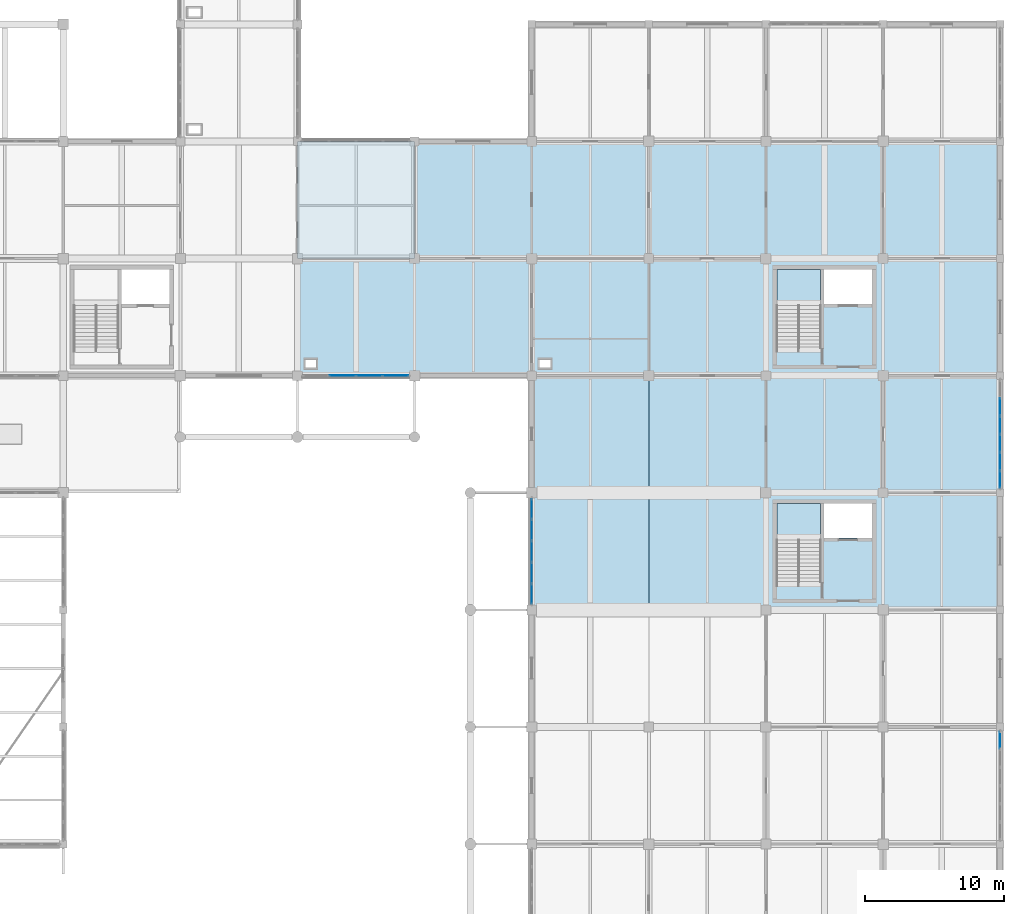
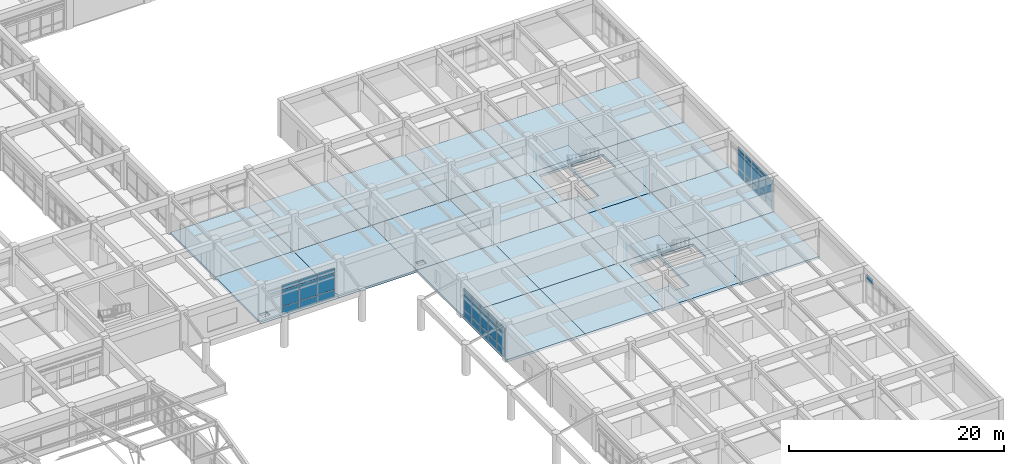
# One storey, part 74 of 99: 40 plates, 22 slabs, 6 elements without a shape of their own.
"""IFC4 building model written with IfcOpenShell, lengths in metres."""

from ifc_helpers import new_model, si_unit, direction, frame, origin, origin_2d, place, context, subcontext, project, spatial, polyline, rectangle, outline, extrude, material, layer, layer_set, type_object, element, aggregate, save


model = new_model("IFC4")

# Units and contexts
model_context = context("Model", 3, precision=1e-05, world=origin(), true_north=direction((0.0, 1.0)))
body_context = subcontext(model_context, "Body", "Model", "MODEL_VIEW")
ifc_project = project(units=[si_unit("LENGTHUNIT", "METRE"), si_unit("AREAUNIT", "SQUARE_METRE"), si_unit("VOLUMEUNIT", "CUBIC_METRE"), si_unit("PLANEANGLEUNIT", "RADIAN"), si_unit("MASSUNIT", "GRAM", prefix="KILO")], contexts=[model_context])

# Site, building, storey
site_placement = place(None, origin())
site = spatial("IfcSite", under=ifc_project, at=site_placement, CompositionType="ELEMENT")
building_placement = place(site_placement, origin())
building = spatial("IfcBuilding", under=site, at=building_placement, Name="Porcellanite Civic Hall", CompositionType="ELEMENT")
storey_placement = place(building_placement, frame((0.0, 0.0, 5.760009765625)))
storey = spatial("IfcBuildingStorey", under=building, at=storey_placement, Name="L01", CompositionType="ELEMENT", Elevation=5.760009765625)

# Curtain wall, plates
ifc_material_1 = material(Name="Anodised aluminium and solar laminated glass", Category="aluminium")
ifc_layer_1 = layer(ifc_material_1, 0.179931640625)
ifc_layer_set_1 = layer_set([ifc_layer_1], Name="Anodised aluminium and solar laminated glass")
curtain_wall_type_1 = type_object("IfcCurtainWallType", Name="CW-SYS02", PredefinedType="NOTDEFINED", material=ifc_layer_set_1)
curtain_wall_1_placement = place(storey_placement, origin())
curtain_wall_1 = element("IfcCurtainWall", 1, at=curtain_wall_1_placement, inside=storey, type_object=curtain_wall_type_1, Name="Curtain wall CW-120", PredefinedType="NOTDEFINED")
ifc_material_2 = material(Name="Cyclone laminated solar-control low-E glass", Category="glass")
ifc_layer_2 = layer(ifc_material_2, 0.02587890625)
ifc_layer_set_2 = layer_set([ifc_layer_2], Name="Cyclone laminated solar-control low-E glass")
plate_type_1 = type_object("IfcPlateType", Name="CWP-02", PredefinedType="CURTAIN_PANEL", material=ifc_layer_set_2)
plate_1_placement = place(storey_placement, frame((142.800048828125, 34.737060546875, 0.06494140625), z_axis=(0.0, 0.0, 1.0), x_axis=(0.0, 1.0, 0.0)))
plate_1 = element("IfcPlate", 2, at=plate_1_placement, type_object=plate_type_1, Name="CW-120 panel 1.1", PredefinedType="CURTAIN_PANEL", context=body_context, shape_type="SweptSolid", body=[
    extrude(rectangle(XDim=1.422119140625, YDim=0.02587890625, at=origin_2d()), origin(), (0.0, 0.0, 1.0), 0.802490234375),
])
plate_2_placement = place(storey_placement, frame((142.800048828125, 34.737060546875, 0.9326171875), z_axis=(0.0, 0.0, 1.0), x_axis=(0.0, 1.0, 0.0)))
plate_2 = element("IfcPlate", 3, at=plate_2_placement, type_object=plate_type_1, Name="CW-120 panel 1.2", PredefinedType="CURTAIN_PANEL", context=body_context, shape_type="SweptSolid", body=[
    extrude(rectangle(XDim=1.422119140625, YDim=0.02587890625, at=origin_2d()), origin(), (0.0, 0.0, 1.0), 1.784912109375),
])
plate_3_placement = place(storey_placement, frame((142.800048828125, 34.737060546875, 2.78271484375), z_axis=(0.0, 0.0, 1.0), x_axis=(0.0, 1.0, 0.0)))
plate_3 = element("IfcPlate", 4, at=plate_3_placement, type_object=plate_type_1, Name="CW-120 panel 1.3", PredefinedType="CURTAIN_PANEL", context=body_context, shape_type="SweptSolid", body=[
    extrude(rectangle(XDim=1.422119140625, YDim=0.02587890625, at=origin_2d()), origin(), (0.0, 0.0, 1.0), 0.552490234375),
])
plate_4_placement = place(storey_placement, frame((142.800048828125, 36.2529296875, 0.06494140625), z_axis=(0.0, 0.0, 1.0), x_axis=(0.0, 1.0, 0.0)))
plate_4 = element("IfcPlate", 5, at=plate_4_placement, type_object=plate_type_1, Name="CW-120 panel 2.1", PredefinedType="CURTAIN_PANEL", context=body_context, shape_type="SweptSolid", body=[
    extrude(rectangle(XDim=1.459716796875, YDim=0.02587890625, at=origin_2d()), origin(), (0.0, 0.0, 1.0), 0.802490234375),
])
plate_5_placement = place(storey_placement, frame((142.800048828125, 36.2529296875, 0.9326171875), z_axis=(0.0, 0.0, 1.0), x_axis=(0.0, 1.0, 0.0)))
plate_5 = element("IfcPlate", 6, at=plate_5_placement, type_object=plate_type_1, Name="CW-120 panel 2.2", PredefinedType="CURTAIN_PANEL", context=body_context, shape_type="SweptSolid", body=[
    extrude(rectangle(XDim=1.459716796875, YDim=0.02587890625, at=origin_2d()), origin(), (0.0, 0.0, 1.0), 1.784912109375),
])
plate_6_placement = place(storey_placement, frame((142.800048828125, 36.2529296875, 2.78271484375), z_axis=(0.0, 0.0, 1.0), x_axis=(0.0, 1.0, 0.0)))
plate_6 = element("IfcPlate", 7, at=plate_6_placement, type_object=plate_type_1, Name="CW-120 panel 2.3", PredefinedType="CURTAIN_PANEL", context=body_context, shape_type="SweptSolid", body=[
    extrude(rectangle(XDim=1.459716796875, YDim=0.02587890625, at=origin_2d()), origin(), (0.0, 0.0, 1.0), 0.552490234375),
])
plate_7_placement = place(storey_placement, frame((142.800048828125, 37.78759765625, 0.06494140625), z_axis=(0.0, 0.0, 1.0), x_axis=(0.0, 1.0, 0.0)))
plate_7 = element("IfcPlate", 8, at=plate_7_placement, type_object=plate_type_1, Name="CW-120 panel 3.1", PredefinedType="CURTAIN_PANEL", context=body_context, shape_type="SweptSolid", body=[
    extrude(rectangle(XDim=1.459716796875, YDim=0.02587890625, at=origin_2d()), origin(), (0.0, 0.0, 1.0), 0.802490234375),
])
plate_8_placement = place(storey_placement, frame((142.800048828125, 37.78759765625, 0.9326171875), z_axis=(0.0, 0.0, 1.0), x_axis=(0.0, 1.0, 0.0)))
plate_8 = element("IfcPlate", 9, at=plate_8_placement, type_object=plate_type_1, Name="CW-120 panel 3.2", PredefinedType="CURTAIN_PANEL", context=body_context, shape_type="SweptSolid", body=[
    extrude(rectangle(XDim=1.459716796875, YDim=0.02587890625, at=origin_2d()), origin(), (0.0, 0.0, 1.0), 1.784912109375),
])
plate_9_placement = place(storey_placement, frame((142.800048828125, 37.78759765625, 2.78271484375), z_axis=(0.0, 0.0, 1.0), x_axis=(0.0, 1.0, 0.0)))
plate_9 = element("IfcPlate", 10, at=plate_9_placement, type_object=plate_type_1, Name="CW-120 panel 3.3", PredefinedType="CURTAIN_PANEL", context=body_context, shape_type="SweptSolid", body=[
    extrude(rectangle(XDim=1.459716796875, YDim=0.02587890625, at=origin_2d()), origin(), (0.0, 0.0, 1.0), 0.552490234375),
])
plate_10_placement = place(storey_placement, frame((142.800048828125, 39.322021484375, 0.06494140625), z_axis=(0.0, 0.0, 1.0), x_axis=(0.0, 1.0, 0.0)))
plate_10 = element("IfcPlate", 11, at=plate_10_placement, type_object=plate_type_1, Name="CW-120 panel 4.1", PredefinedType="CURTAIN_PANEL", context=body_context, shape_type="SweptSolid", body=[
    extrude(rectangle(XDim=1.459716796875, YDim=0.02587890625, at=origin_2d()), origin(), (0.0, 0.0, 1.0), 0.802490234375),
])
plate_11_placement = place(storey_placement, frame((142.800048828125, 39.322021484375, 0.9326171875), z_axis=(0.0, 0.0, 1.0), x_axis=(0.0, 1.0, 0.0)))
plate_11 = element("IfcPlate", 12, at=plate_11_placement, type_object=plate_type_1, Name="CW-120 panel 4.2", PredefinedType="CURTAIN_PANEL", context=body_context, shape_type="SweptSolid", body=[
    extrude(rectangle(XDim=1.459716796875, YDim=0.02587890625, at=origin_2d()), origin(), (0.0, 0.0, 1.0), 1.784912109375),
])
plate_12_placement = place(storey_placement, frame((142.800048828125, 39.322021484375, 2.78271484375), z_axis=(0.0, 0.0, 1.0), x_axis=(0.0, 1.0, 0.0)))
plate_12 = element("IfcPlate", 13, at=plate_12_placement, type_object=plate_type_1, Name="CW-120 panel 4.3", PredefinedType="CURTAIN_PANEL", context=body_context, shape_type="SweptSolid", body=[
    extrude(rectangle(XDim=1.459716796875, YDim=0.02587890625, at=origin_2d()), origin(), (0.0, 0.0, 1.0), 0.552490234375),
])
plate_13_placement = place(storey_placement, frame((142.800048828125, 40.837890625, 0.06494140625), z_axis=(0.0, 0.0, 1.0), x_axis=(0.0, 1.0, 0.0)))
plate_13 = element("IfcPlate", 14, at=plate_13_placement, type_object=plate_type_1, Name="CW-120 panel 5.1", PredefinedType="CURTAIN_PANEL", context=body_context, shape_type="SweptSolid", body=[
    extrude(rectangle(XDim=1.422119140625, YDim=0.02587890625, at=origin_2d()), origin(), (0.0, 0.0, 1.0), 0.802490234375),
])
plate_14_placement = place(storey_placement, frame((142.800048828125, 40.837890625, 0.9326171875), z_axis=(0.0, 0.0, 1.0), x_axis=(0.0, 1.0, 0.0)))
plate_14 = element("IfcPlate", 15, at=plate_14_placement, type_object=plate_type_1, Name="CW-120 panel 5.2", PredefinedType="CURTAIN_PANEL", context=body_context, shape_type="SweptSolid", body=[
    extrude(rectangle(XDim=1.422119140625, YDim=0.02587890625, at=origin_2d()), origin(), (0.0, 0.0, 1.0), 1.784912109375),
])
plate_15_placement = place(storey_placement, frame((142.800048828125, 40.837890625, 2.78271484375), z_axis=(0.0, 0.0, 1.0), x_axis=(0.0, 1.0, 0.0)))
plate_15 = element("IfcPlate", 16, at=plate_15_placement, type_object=plate_type_1, Name="CW-120 panel 5.3", PredefinedType="CURTAIN_PANEL", context=body_context, shape_type="SweptSolid", body=[
    extrude(rectangle(XDim=1.422119140625, YDim=0.02587890625, at=origin_2d()), origin(), (0.0, 0.0, 1.0), 0.552490234375),
])
aggregate(curtain_wall_1, [plate_1, plate_2, plate_3, plate_4, plate_5, plate_6, plate_7, plate_8, plate_9, plate_10, plate_11, plate_12, plate_13, plate_14, plate_15])

# Curtain wall, plate
curtain_wall_2_placement = place(storey_placement, origin())
curtain_wall_2 = element("IfcCurtainWall", 17, at=curtain_wall_2_placement, inside=storey, type_object=curtain_wall_type_1, Name="Curtain wall CW-129", PredefinedType="NOTDEFINED")
plate_16_placement = place(storey_placement, frame((176.39990234375, 24.251220703125, 2.78271484375), z_axis=(0.0, 0.0, 1.0), x_axis=(0.0, -1.0, 0.0)))
plate_16 = element("IfcPlate", 18, at=plate_16_placement, type_object=plate_type_1, Name="CW-129 panel 1.3", PredefinedType="CURTAIN_PANEL", context=body_context, shape_type="SweptSolid", body=[
    extrude(rectangle(XDim=1.195556640625, YDim=0.02587890625, at=origin_2d()), origin(), (0.0, 0.0, 1.0), 0.552490234375),
])
aggregate(curtain_wall_2, [plate_16])

# Curtain wall, plates
curtain_wall_3_placement = place(storey_placement, origin())
curtain_wall_3 = element("IfcCurtainWall", 19, at=curtain_wall_3_placement, inside=storey, type_object=curtain_wall_type_1, Name="Curtain wall CW-130", PredefinedType="NOTDEFINED")
plate_17_placement = place(storey_placement, frame((176.39990234375, 48.162109375, 0.06494140625), z_axis=(0.0, 0.0, 1.0), x_axis=(0.0, -1.0, 0.0)))
plate_17 = element("IfcPlate", 20, at=plate_17_placement, type_object=plate_type_1, Name="CW-130 panel 2.1", PredefinedType="CURTAIN_PANEL", context=body_context, shape_type="SweptSolid", body=[
    extrude(rectangle(XDim=1.23291015625, YDim=0.02587890625, at=origin_2d()), origin(), (0.0, 0.0, 1.0), 0.802490234375),
])
plate_18_placement = place(storey_placement, frame((176.39990234375, 48.162109375, 0.9326171875), z_axis=(0.0, 0.0, 1.0), x_axis=(0.0, -1.0, 0.0)))
plate_18 = element("IfcPlate", 21, at=plate_18_placement, type_object=plate_type_1, Name="CW-130 panel 2.2", PredefinedType="CURTAIN_PANEL", context=body_context, shape_type="SweptSolid", body=[
    extrude(rectangle(XDim=1.23291015625, YDim=0.02587890625, at=origin_2d()), origin(), (0.0, 0.0, 1.0), 1.784912109375),
])
plate_19_placement = place(storey_placement, frame((176.39990234375, 48.162109375, 2.78271484375), z_axis=(0.0, 0.0, 1.0), x_axis=(0.0, -1.0, 0.0)))
plate_19 = element("IfcPlate", 22, at=plate_19_placement, type_object=plate_type_1, Name="CW-130 panel 2.3", PredefinedType="CURTAIN_PANEL", context=body_context, shape_type="SweptSolid", body=[
    extrude(rectangle(XDim=1.23291015625, YDim=0.02587890625, at=origin_2d()), origin(), (0.0, 0.0, 1.0), 0.552490234375),
])
plate_20_placement = place(storey_placement, frame((176.39990234375, 46.85400390625, 0.06494140625), z_axis=(0.0, 0.0, 1.0), x_axis=(0.0, -1.0, 0.0)))
plate_20 = element("IfcPlate", 23, at=plate_20_placement, type_object=plate_type_1, Name="CW-130 panel 3.1", PredefinedType="CURTAIN_PANEL", context=body_context, shape_type="SweptSolid", body=[
    extrude(rectangle(XDim=1.23291015625, YDim=0.02587890625, at=origin_2d()), origin(), (0.0, 0.0, 1.0), 0.802490234375),
])
plate_21_placement = place(storey_placement, frame((176.39990234375, 46.85400390625, 0.9326171875), z_axis=(0.0, 0.0, 1.0), x_axis=(0.0, -1.0, 0.0)))
plate_21 = element("IfcPlate", 24, at=plate_21_placement, type_object=plate_type_1, Name="CW-130 panel 3.2", PredefinedType="CURTAIN_PANEL", context=body_context, shape_type="SweptSolid", body=[
    extrude(rectangle(XDim=1.23291015625, YDim=0.02587890625, at=origin_2d()), origin(), (0.0, 0.0, 1.0), 1.784912109375),
])
plate_22_placement = place(storey_placement, frame((176.39990234375, 46.85400390625, 2.78271484375), z_axis=(0.0, 0.0, 1.0), x_axis=(0.0, -1.0, 0.0)))
plate_22 = element("IfcPlate", 25, at=plate_22_placement, type_object=plate_type_1, Name="CW-130 panel 3.3", PredefinedType="CURTAIN_PANEL", context=body_context, shape_type="SweptSolid", body=[
    extrude(rectangle(XDim=1.23291015625, YDim=0.02587890625, at=origin_2d()), origin(), (0.0, 0.0, 1.0), 0.552490234375),
])
plate_23_placement = place(storey_placement, frame((176.39990234375, 45.5458984375, 0.06494140625), z_axis=(0.0, 0.0, 1.0), x_axis=(0.0, -1.0, 0.0)))
plate_23 = element("IfcPlate", 26, at=plate_23_placement, type_object=plate_type_1, Name="CW-130 panel 4.1", PredefinedType="CURTAIN_PANEL", context=body_context, shape_type="SweptSolid", body=[
    extrude(rectangle(XDim=1.23291015625, YDim=0.02587890625, at=origin_2d()), origin(), (0.0, 0.0, 1.0), 0.802490234375),
])
plate_24_placement = place(storey_placement, frame((176.39990234375, 45.5458984375, 0.9326171875), z_axis=(0.0, 0.0, 1.0), x_axis=(0.0, -1.0, 0.0)))
plate_24 = element("IfcPlate", 27, at=plate_24_placement, type_object=plate_type_1, Name="CW-130 panel 4.2", PredefinedType="CURTAIN_PANEL", context=body_context, shape_type="SweptSolid", body=[
    extrude(rectangle(XDim=1.23291015625, YDim=0.02587890625, at=origin_2d()), origin(), (0.0, 0.0, 1.0), 1.784912109375),
])
plate_25_placement = place(storey_placement, frame((176.39990234375, 45.5458984375, 2.78271484375), z_axis=(0.0, 0.0, 1.0), x_axis=(0.0, -1.0, 0.0)))
plate_25 = element("IfcPlate", 28, at=plate_25_placement, type_object=plate_type_1, Name="CW-130 panel 4.3", PredefinedType="CURTAIN_PANEL", context=body_context, shape_type="SweptSolid", body=[
    extrude(rectangle(XDim=1.23291015625, YDim=0.02587890625, at=origin_2d()), origin(), (0.0, 0.0, 1.0), 0.552490234375),
])
plate_26_placement = place(storey_placement, frame((176.39990234375, 44.238037109375, 0.06494140625), z_axis=(0.0, 0.0, 1.0), x_axis=(0.0, -1.0, 0.0)))
plate_26 = element("IfcPlate", 29, at=plate_26_placement, type_object=plate_type_1, Name="CW-130 panel 5.1", PredefinedType="CURTAIN_PANEL", context=body_context, shape_type="SweptSolid", body=[
    extrude(rectangle(XDim=1.23291015625, YDim=0.02587890625, at=origin_2d()), origin(), (0.0, 0.0, 1.0), 0.802490234375),
])
plate_27_placement = place(storey_placement, frame((176.39990234375, 44.238037109375, 0.9326171875), z_axis=(0.0, 0.0, 1.0), x_axis=(0.0, -1.0, 0.0)))
plate_27 = element("IfcPlate", 30, at=plate_27_placement, type_object=plate_type_1, Name="CW-130 panel 5.2", PredefinedType="CURTAIN_PANEL", context=body_context, shape_type="SweptSolid", body=[
    extrude(rectangle(XDim=1.23291015625, YDim=0.02587890625, at=origin_2d()), origin(), (0.0, 0.0, 1.0), 1.784912109375),
])
plate_28_placement = place(storey_placement, frame((176.39990234375, 44.238037109375, 2.78271484375), z_axis=(0.0, 0.0, 1.0), x_axis=(0.0, -1.0, 0.0)))
plate_28 = element("IfcPlate", 31, at=plate_28_placement, type_object=plate_type_1, Name="CW-130 panel 5.3", PredefinedType="CURTAIN_PANEL", context=body_context, shape_type="SweptSolid", body=[
    extrude(rectangle(XDim=1.23291015625, YDim=0.02587890625, at=origin_2d()), origin(), (0.0, 0.0, 1.0), 0.552490234375),
])
plate_29_placement = place(storey_placement, frame((176.39990234375, 42.94873046875, 0.06494140625), z_axis=(0.0, 0.0, 1.0), x_axis=(0.0, -1.0, 0.0)))
plate_29 = element("IfcPlate", 32, at=plate_29_placement, type_object=plate_type_1, Name="CW-130 panel 6.1", PredefinedType="CURTAIN_PANEL", context=body_context, shape_type="SweptSolid", body=[
    extrude(rectangle(XDim=1.195556640625, YDim=0.02587890625, at=origin_2d()), origin(), (0.0, 0.0, 1.0), 0.802490234375),
])
plate_30_placement = place(storey_placement, frame((176.39990234375, 42.94873046875, 0.9326171875), z_axis=(0.0, 0.0, 1.0), x_axis=(0.0, -1.0, 0.0)))
plate_30 = element("IfcPlate", 33, at=plate_30_placement, type_object=plate_type_1, Name="CW-130 panel 6.2", PredefinedType="CURTAIN_PANEL", context=body_context, shape_type="SweptSolid", body=[
    extrude(rectangle(XDim=1.195556640625, YDim=0.02587890625, at=origin_2d()), origin(), (0.0, 0.0, 1.0), 1.784912109375),
])
plate_31_placement = place(storey_placement, frame((176.39990234375, 42.94873046875, 2.78271484375), z_axis=(0.0, 0.0, 1.0), x_axis=(0.0, -1.0, 0.0)))
plate_31 = element("IfcPlate", 34, at=plate_31_placement, type_object=plate_type_1, Name="CW-130 panel 6.3", PredefinedType="CURTAIN_PANEL", context=body_context, shape_type="SweptSolid", body=[
    extrude(rectangle(XDim=1.195556640625, YDim=0.02587890625, at=origin_2d()), origin(), (0.0, 0.0, 1.0), 0.552490234375),
])
aggregate(curtain_wall_3, [plate_17, plate_18, plate_19, plate_20, plate_21, plate_22, plate_23, plate_24, plate_25, plate_26, plate_27, plate_28, plate_29, plate_30, plate_31])

ifc_material_3 = material(Name="Anodised aluminium and solar laminated glass", Category="aluminium")
ifc_layer_3 = layer(ifc_material_3, 0.179931640625)
ifc_layer_set_3 = layer_set([ifc_layer_3], Name="Anodised aluminium and solar laminated glass")
curtain_wall_type_2 = type_object("IfcCurtainWallType", Name="CW-SYS04", PredefinedType="NOTDEFINED", material=ifc_layer_set_3)
curtain_wall_4_placement = place(storey_placement, origin())
curtain_wall_4 = element("IfcCurtainWall", 35, at=curtain_wall_4_placement, inside=storey, type_object=curtain_wall_type_2, Name="Curtain wall CW-115", PredefinedType="NOTDEFINED")
ifc_material_4 = material(Name="Cyclone laminated solar-control low-E glass", Category="glass")
ifc_layer_4 = layer(ifc_material_4, 0.033935546875)
ifc_layer_set_4 = layer_set([ifc_layer_4], Name="Cyclone laminated solar-control low-E glass")
plate_type_2 = type_object("IfcPlateType", Name="CWP-06", PredefinedType="CURTAIN_PANEL", material=ifc_layer_set_4)
plate_32_placement = place(storey_placement, frame((133.046142578125, 50.39990234375, 0.054931640625), z_axis=(0.0, 0.0, 1.0), x_axis=(-1.0, 0.0, 0.0)))
plate_32 = element("IfcPlate", 36, at=plate_32_placement, type_object=plate_type_2, Name="CW-115 panel 1.1", PredefinedType="CURTAIN_PANEL", context=body_context, shape_type="SweptSolid", body=[
    extrude(rectangle(XDim=1.8056640625, YDim=0.033935546875, at=origin_2d()), origin(), (0.0, 0.0, 1.0), 0.8173828125),
])
plate_33_placement = place(storey_placement, frame((133.046142578125, 50.39990234375, 0.927490234375), z_axis=(0.0, 0.0, 1.0), x_axis=(-1.0, 0.0, 0.0)))
plate_33 = element("IfcPlate", 37, at=plate_33_placement, type_object=plate_type_2, Name="CW-115 panel 1.2", PredefinedType="CURTAIN_PANEL", context=body_context, shape_type="SweptSolid", body=[
    extrude(rectangle(XDim=1.8056640625, YDim=0.033935546875, at=origin_2d()), origin(), (0.0, 0.0, 1.0), 1.794921875),
])
plate_34_placement = place(storey_placement, frame((133.046142578125, 50.39990234375, 2.777587890625), z_axis=(0.0, 0.0, 1.0), x_axis=(-1.0, 0.0, 0.0)))
plate_34 = element("IfcPlate", 38, at=plate_34_placement, type_object=plate_type_2, Name="CW-115 panel 1.3", PredefinedType="CURTAIN_PANEL", context=body_context, shape_type="SweptSolid", body=[
    extrude(rectangle(XDim=1.8056640625, YDim=0.033935546875, at=origin_2d()), origin(), (0.0, 0.0, 1.0), 0.5673828125),
])
plate_35_placement = place(storey_placement, frame((131.146728515625, 50.39990234375, 0.054931640625), z_axis=(0.0, 0.0, 1.0), x_axis=(-1.0, 0.0, 0.0)))
plate_35 = element("IfcPlate", 39, at=plate_35_placement, type_object=plate_type_2, Name="CW-115 panel 2.1", PredefinedType="CURTAIN_PANEL", context=body_context, shape_type="SweptSolid", body=[
    extrude(rectangle(XDim=1.84326171875, YDim=0.033935546875, at=origin_2d()), origin(), (0.0, 0.0, 1.0), 0.8173828125),
])
plate_36_placement = place(storey_placement, frame((131.146728515625, 50.39990234375, 0.927490234375), z_axis=(0.0, 0.0, 1.0), x_axis=(-1.0, 0.0, 0.0)))
plate_36 = element("IfcPlate", 40, at=plate_36_placement, type_object=plate_type_2, Name="CW-115 panel 2.2", PredefinedType="CURTAIN_PANEL", context=body_context, shape_type="SweptSolid", body=[
    extrude(rectangle(XDim=1.84326171875, YDim=0.033935546875, at=origin_2d()), origin(), (0.0, 0.0, 1.0), 1.794921875),
])
plate_37_placement = place(storey_placement, frame((131.146728515625, 50.39990234375, 2.777587890625), z_axis=(0.0, 0.0, 1.0), x_axis=(-1.0, 0.0, 0.0)))
plate_37 = element("IfcPlate", 41, at=plate_37_placement, type_object=plate_type_2, Name="CW-115 panel 2.3", PredefinedType="CURTAIN_PANEL", context=body_context, shape_type="SweptSolid", body=[
    extrude(rectangle(XDim=1.84326171875, YDim=0.033935546875, at=origin_2d()), origin(), (0.0, 0.0, 1.0), 0.5673828125),
])
plate_38_placement = place(storey_placement, frame((129.228271484375, 50.39990234375, 0.054931640625), z_axis=(0.0, 0.0, 1.0), x_axis=(-1.0, 0.0, 0.0)))
plate_38 = element("IfcPlate", 42, at=plate_38_placement, type_object=plate_type_2, Name="CW-115 panel 3.1", PredefinedType="CURTAIN_PANEL", context=body_context, shape_type="SweptSolid", body=[
    extrude(rectangle(XDim=1.84326171875, YDim=0.033935546875, at=origin_2d()), origin(), (0.0, 0.0, 1.0), 0.8173828125),
])
plate_39_placement = place(storey_placement, frame((129.228271484375, 50.39990234375, 0.927490234375), z_axis=(0.0, 0.0, 1.0), x_axis=(-1.0, 0.0, 0.0)))
plate_39 = element("IfcPlate", 43, at=plate_39_placement, type_object=plate_type_2, Name="CW-115 panel 3.2", PredefinedType="CURTAIN_PANEL", context=body_context, shape_type="SweptSolid", body=[
    extrude(rectangle(XDim=1.84326171875, YDim=0.033935546875, at=origin_2d()), origin(), (0.0, 0.0, 1.0), 1.794921875),
])
plate_40_placement = place(storey_placement, frame((129.228271484375, 50.39990234375, 2.777587890625), z_axis=(0.0, 0.0, 1.0), x_axis=(-1.0, 0.0, 0.0)))
plate_40 = element("IfcPlate", 44, at=plate_40_placement, type_object=plate_type_2, Name="CW-115 panel 3.3", PredefinedType="CURTAIN_PANEL", context=body_context, shape_type="SweptSolid", body=[
    extrude(rectangle(XDim=1.84326171875, YDim=0.033935546875, at=origin_2d()), origin(), (0.0, 0.0, 1.0), 0.5673828125),
])
aggregate(curtain_wall_4, [plate_32, plate_33, plate_34, plate_35, plate_36, plate_37, plate_38, plate_39, plate_40])

# Stair, slab
ifc_material_5 = material(Name="Concrete N40 (40 MPa)", Category="concrete")
stair_type = type_object("IfcStairType", Name="STR-HT25", PredefinedType="HALF_TURN_STAIR", material=ifc_material_5)
stair_1_placement = place(storey_placement, origin())
stair_1 = element("IfcStair", 45, at=stair_1_placement, inside=storey, type_object=stair_type, Name="Fire stair ST-07 L01", PredefinedType="HALF_TURN_STAIR")
ifc_material_6 = material(Name="Concrete N40 (40 MPa)", Category="concrete")
ifc_layer_5 = layer(ifc_material_6, 0.179931640625)
ifc_layer_set_5 = layer_set([ifc_layer_5], Name="Concrete N40 (40 MPa)")
slab_type_1 = type_object("IfcSlabType", Name="LND-18", PredefinedType="LANDING", material=ifc_layer_set_5)
slab_1_placement = place(storey_placement, frame((0.0, 0.0, 2.159912109375)))
slab_1 = element("IfcSlab", 46, at=slab_1_placement, type_object=slab_type_1, Name="ST-07 landing 1", PredefinedType="LANDING", context=body_context, shape_type="SweptSolid", body=[
    extrude(outline(polyline([(160.380615234375, 38.625), (163.51953125, 38.625), (163.51953125, 41.219482421875), (160.380615234375, 41.219482421875), (160.380615234375, 38.625)])), origin(), (0.0, 0.0, 1.0), 0.18017578125),
])
aggregate(stair_1, [slab_1])

stair_2_placement = place(storey_placement, origin())
stair_2 = element("IfcStair", 47, at=stair_2_placement, inside=storey, type_object=stair_type, Name="Fire stair ST-08 L01", PredefinedType="HALF_TURN_STAIR")
slab_2_placement = place(storey_placement, frame((0.0, 0.0, 2.159912109375)))
slab_2 = element("IfcSlab", 48, at=slab_2_placement, type_object=slab_type_1, Name="ST-08 landing 1", PredefinedType="LANDING", context=body_context, shape_type="SweptSolid", body=[
    extrude(outline(polyline([(160.380615234375, 55.425048828125), (163.51953125, 55.425048828125), (163.51953125, 58.01953125), (160.380615234375, 58.01953125), (160.380615234375, 55.425048828125)])), origin(), (0.0, 0.0, 1.0), 0.18017578125),
])
aggregate(stair_2, [slab_2])

# Slabs
ifc_material_7 = material(Name="Concrete N40 (40 MPa)", Category="concrete")
ifc_layer_6 = layer(ifc_material_7, 0.25)
ifc_layer_set_6 = layer_set([ifc_layer_6], Name="Concrete N40 (40 MPa)")
slab_type_2 = type_object("IfcSlabType", Name="SL-FL250", PredefinedType="FLOOR", material=ifc_layer_set_6)
slab_3_placement = place(storey_placement, frame((0.0, 0.0, -0.25)))
element("IfcSlab", 49, at=slab_3_placement, inside=storey, type_object=slab_type_2, Name="Slab L01 bay 16-8", PredefinedType="FLOOR", context=body_context, shape_type="SweptSolid", body=[
    extrude(outline(polyline([(126.0, 58.800048828125), (134.39990234375, 58.800048828125), (134.39990234375, 67.199951171875), (126.0, 67.199951171875), (126.0, 58.800048828125)])), origin(), (0.0, 0.0, 1.0), 0.25),
])
slab_4_placement = place(storey_placement, frame((0.0, 0.0, -0.25)))
element("IfcSlab", 50, at=slab_4_placement, inside=storey, type_object=slab_type_2, Name="Slab L01 bay 17-7", PredefinedType="FLOOR", context=body_context, shape_type="SweptSolid", body=[
    extrude(outline(polyline([(134.39990234375, 50.39990234375), (142.800048828125, 50.39990234375), (142.800048828125, 58.800048828125), (134.39990234375, 58.800048828125), (134.39990234375, 50.39990234375)])), origin(), (0.0, 0.0, 1.0), 0.25),
])
slab_5_placement = place(storey_placement, frame((0.0, 0.0, -0.25)))
element("IfcSlab", 51, at=slab_5_placement, inside=storey, type_object=slab_type_2, Name="Slab L01 bay 17-8", PredefinedType="FLOOR", context=body_context, shape_type="SweptSolid", body=[
    extrude(outline(polyline([(134.39990234375, 58.800048828125), (142.800048828125, 58.800048828125), (142.800048828125, 67.199951171875), (134.39990234375, 67.199951171875), (134.39990234375, 58.800048828125)])), origin(), (0.0, 0.0, 1.0), 0.25),
])
slab_6_placement = place(storey_placement, frame((0.0, 0.0, -0.25)))
element("IfcSlab", 52, at=slab_6_placement, inside=storey, type_object=slab_type_2, Name="Slab L01 bay 18-6", PredefinedType="FLOOR", context=body_context, shape_type="SweptSolid", body=[
    extrude(outline(polyline([(142.800048828125, 42.0), (151.199951171875, 42.0), (151.199951171875, 50.39990234375), (142.800048828125, 50.39990234375), (142.800048828125, 42.0)])), origin(), (0.0, 0.0, 1.0), 0.25),
])
slab_7_placement = place(storey_placement, frame((0.0, 0.0, -0.25)))
element("IfcSlab", 53, at=slab_7_placement, inside=storey, type_object=slab_type_2, Name="Slab L01 bay 18-7", PredefinedType="FLOOR", context=body_context, shape_type="SweptSolid", body=[
    extrude(outline(polyline([(142.800048828125, 50.39990234375), (151.199951171875, 50.39990234375), (151.199951171875, 58.800048828125), (142.800048828125, 58.800048828125), (142.800048828125, 50.39990234375)]), holes=[polyline([(143.35009765625, 50.949951171875), (144.14990234375, 50.949951171875), (144.14990234375, 51.550048828125), (143.35009765625, 51.550048828125), (143.35009765625, 50.949951171875)])]), origin(), (0.0, 0.0, 1.0), 0.25),
])
slab_8_placement = place(storey_placement, frame((0.0, 0.0, -0.25)))
element("IfcSlab", 54, at=slab_8_placement, inside=storey, type_object=slab_type_2, Name="Slab L01 bay 19-5", PredefinedType="FLOOR", context=body_context, shape_type="SweptSolid", body=[
    extrude(outline(polyline([(151.199951171875, 33.60009765625), (159.60009765625, 33.60009765625), (159.60009765625, 42.0), (151.199951171875, 42.0), (151.199951171875, 33.60009765625)])), origin(), (0.0, 0.0, 1.0), 0.25),
])
slab_9_placement = place(storey_placement, frame((0.0, 0.0, -0.25)))
element("IfcSlab", 55, at=slab_9_placement, inside=storey, type_object=slab_type_2, Name="Slab L01 bay 19-6", PredefinedType="FLOOR", context=body_context, shape_type="SweptSolid", body=[
    extrude(outline(polyline([(151.199951171875, 42.0), (159.60009765625, 42.0), (159.60009765625, 50.39990234375), (151.199951171875, 50.39990234375), (151.199951171875, 42.0)])), origin(), (0.0, 0.0, 1.0), 0.25),
])
slab_10_placement = place(storey_placement, frame((0.0, 0.0, -0.25)))
element("IfcSlab", 56, at=slab_10_placement, inside=storey, type_object=slab_type_2, Name="Slab L01 bay 19-8", PredefinedType="FLOOR", context=body_context, shape_type="SweptSolid", body=[
    extrude(outline(polyline([(151.199951171875, 58.800048828125), (159.60009765625, 58.800048828125), (159.60009765625, 67.199951171875), (151.199951171875, 67.199951171875), (151.199951171875, 58.800048828125)])), origin(), (0.0, 0.0, 1.0), 0.25),
])
slab_11_placement = place(storey_placement, frame((0.0, 0.0, -0.25)))
element("IfcSlab", 57, at=slab_11_placement, inside=storey, type_object=slab_type_2, Name="Slab L01 bay 20-5", PredefinedType="FLOOR", context=body_context, shape_type="SweptSolid", body=[
    extrude(outline(polyline([(159.60009765625, 33.60009765625), (168.0, 33.60009765625), (168.0, 42.0), (159.60009765625, 42.0), (159.60009765625, 33.60009765625)]), holes=[polyline([(160.3798828125, 36.449951171875), (161.9599609375, 36.449951171875), (161.9599609375, 35.60009765625), (163.52001953125, 35.60009765625), (163.52001953125, 41.219970703125), (160.3798828125, 41.219970703125), (160.3798828125, 36.449951171875)]), polyline([(163.760009765625, 38.739990234375), (167.219970703125, 38.739990234375), (167.219970703125, 41.219970703125), (163.760009765625, 41.219970703125), (163.760009765625, 38.739990234375)])]), origin(), (0.0, 0.0, 1.0), 0.25),
])
slab_12_placement = place(storey_placement, frame((0.0, 0.0, -0.25)))
element("IfcSlab", 58, at=slab_12_placement, inside=storey, type_object=slab_type_2, Name="Slab L01 bay 20-7", PredefinedType="FLOOR", context=body_context, shape_type="SweptSolid", body=[
    extrude(outline(polyline([(159.60009765625, 50.39990234375), (168.0, 50.39990234375), (168.0, 58.800048828125), (159.60009765625, 58.800048828125), (159.60009765625, 50.39990234375)]), holes=[polyline([(160.3798828125, 53.25), (161.9599609375, 53.25), (161.9599609375, 52.39990234375), (163.52001953125, 52.39990234375), (163.52001953125, 58.02001953125), (160.3798828125, 58.02001953125), (160.3798828125, 53.25)]), polyline([(163.760009765625, 55.5400390625), (167.219970703125, 55.5400390625), (167.219970703125, 58.02001953125), (163.760009765625, 58.02001953125), (163.760009765625, 55.5400390625)])]), origin(), (0.0, 0.0, 1.0), 0.25),
])
slab_13_placement = place(storey_placement, frame((0.0, 0.0, -0.25)))
element("IfcSlab", 59, at=slab_13_placement, inside=storey, type_object=slab_type_2, Name="Slab L01 bay 20-8", PredefinedType="FLOOR", context=body_context, shape_type="SweptSolid", body=[
    extrude(outline(polyline([(159.60009765625, 58.800048828125), (168.0, 58.800048828125), (168.0, 67.199951171875), (159.60009765625, 67.199951171875), (159.60009765625, 58.800048828125)])), origin(), (0.0, 0.0, 1.0), 0.25),
])
slab_14_placement = place(storey_placement, frame((0.0, 0.0, -0.25)))
element("IfcSlab", 60, at=slab_14_placement, inside=storey, type_object=slab_type_2, Name="Slab L01 bay 21-6", PredefinedType="FLOOR", context=body_context, shape_type="SweptSolid", body=[
    extrude(outline(polyline([(168.0, 42.0), (176.39990234375, 42.0), (176.39990234375, 50.39990234375), (168.0, 50.39990234375), (168.0, 42.0)])), origin(), (0.0, 0.0, 1.0), 0.25),
])
slab_15_placement = place(storey_placement, frame((0.0, 0.0, -0.25)))
element("IfcSlab", 61, at=slab_15_placement, inside=storey, type_object=slab_type_2, Name="Slab L01 bay 21-7", PredefinedType="FLOOR", context=body_context, shape_type="SweptSolid", body=[
    extrude(outline(polyline([(168.0, 50.39990234375), (176.39990234375, 50.39990234375), (176.39990234375, 58.800048828125), (168.0, 58.800048828125), (168.0, 50.39990234375)])), origin(), (0.0, 0.0, 1.0), 0.25),
])
ifc_material_8 = material(Name="Concrete N40 (40 MPa)", Category="concrete")
ifc_layer_7 = layer(ifc_material_8, 0.260009765625)
ifc_layer_set_7 = layer_set([ifc_layer_7], Name="Concrete N40 (40 MPa)")
slab_type_3 = type_object("IfcSlabType", Name="SL-FL260", PredefinedType="FLOOR", material=ifc_layer_set_7)
slab_16_placement = place(storey_placement, frame((0.0, 0.0, -0.260009765625)))
element("IfcSlab", 62, at=slab_16_placement, inside=storey, type_object=slab_type_3, Name="Slab L01 bay 16-7", PredefinedType="FLOOR", context=body_context, shape_type="SweptSolid", body=[
    extrude(outline(polyline([(126.0, 50.39990234375), (134.39990234375, 50.39990234375), (134.39990234375, 58.800048828125), (126.0, 58.800048828125), (126.0, 50.39990234375)]), holes=[polyline([(126.550048828125, 50.949951171875), (127.35009765625, 50.949951171875), (127.35009765625, 51.550048828125), (126.550048828125, 51.550048828125), (126.550048828125, 50.949951171875)])]), origin(), (0.0, 0.0, 1.0), 0.260009765625),
])
slab_17_placement = place(storey_placement, frame((0.0, 0.0, -0.260009765625)))
element("IfcSlab", 63, at=slab_17_placement, inside=storey, type_object=slab_type_3, Name="Slab L01 bay 18-5", PredefinedType="FLOOR", context=body_context, shape_type="SweptSolid", body=[
    extrude(outline(polyline([(142.800048828125, 33.60009765625), (151.199951171875, 33.60009765625), (151.199951171875, 42.0), (142.800048828125, 42.0), (142.800048828125, 33.60009765625)])), origin(), (0.0, 0.0, 1.0), 0.260009765625),
])
slab_18_placement = place(storey_placement, frame((0.0, 0.0, -0.260009765625)))
element("IfcSlab", 64, at=slab_18_placement, inside=storey, type_object=slab_type_3, Name="Slab L01 bay 18-8", PredefinedType="FLOOR", context=body_context, shape_type="SweptSolid", body=[
    extrude(outline(polyline([(142.800048828125, 58.800048828125), (151.199951171875, 58.800048828125), (151.199951171875, 67.199951171875), (142.800048828125, 67.199951171875), (142.800048828125, 58.800048828125)])), origin(), (0.0, 0.0, 1.0), 0.260009765625),
])
slab_19_placement = place(storey_placement, frame((0.0, 0.0, -0.260009765625)))
element("IfcSlab", 65, at=slab_19_placement, inside=storey, type_object=slab_type_3, Name="Slab L01 bay 19-7", PredefinedType="FLOOR", context=body_context, shape_type="SweptSolid", body=[
    extrude(outline(polyline([(151.199951171875, 50.39990234375), (159.60009765625, 50.39990234375), (159.60009765625, 58.800048828125), (151.199951171875, 58.800048828125), (151.199951171875, 50.39990234375)])), origin(), (0.0, 0.0, 1.0), 0.260009765625),
])
slab_20_placement = place(storey_placement, frame((0.0, 0.0, -0.260009765625)))
element("IfcSlab", 66, at=slab_20_placement, inside=storey, type_object=slab_type_3, Name="Slab L01 bay 20-6", PredefinedType="FLOOR", context=body_context, shape_type="SweptSolid", body=[
    extrude(outline(polyline([(159.60009765625, 42.0), (168.0, 42.0), (168.0, 50.39990234375), (159.60009765625, 50.39990234375), (159.60009765625, 42.0)])), origin(), (0.0, 0.0, 1.0), 0.260009765625),
])
slab_21_placement = place(storey_placement, frame((0.0, 0.0, -0.260009765625)))
element("IfcSlab", 67, at=slab_21_placement, inside=storey, type_object=slab_type_3, Name="Slab L01 bay 21-5", PredefinedType="FLOOR", context=body_context, shape_type="SweptSolid", body=[
    extrude(outline(polyline([(168.0, 33.60009765625), (176.39990234375, 33.60009765625), (176.39990234375, 42.0), (168.0, 42.0), (168.0, 33.60009765625)])), origin(), (0.0, 0.0, 1.0), 0.260009765625),
])
slab_22_placement = place(storey_placement, frame((0.0, 0.0, -0.260009765625)))
element("IfcSlab", 68, at=slab_22_placement, inside=storey, type_object=slab_type_3, Name="Slab L01 bay 21-8", PredefinedType="FLOOR", context=body_context, shape_type="SweptSolid", body=[
    extrude(outline(polyline([(168.0, 58.800048828125), (176.39990234375, 58.800048828125), (176.39990234375, 67.199951171875), (168.0, 67.199951171875), (168.0, 58.800048828125)])), origin(), (0.0, 0.0, 1.0), 0.260009765625),
])

save(model, "model.ifc")
